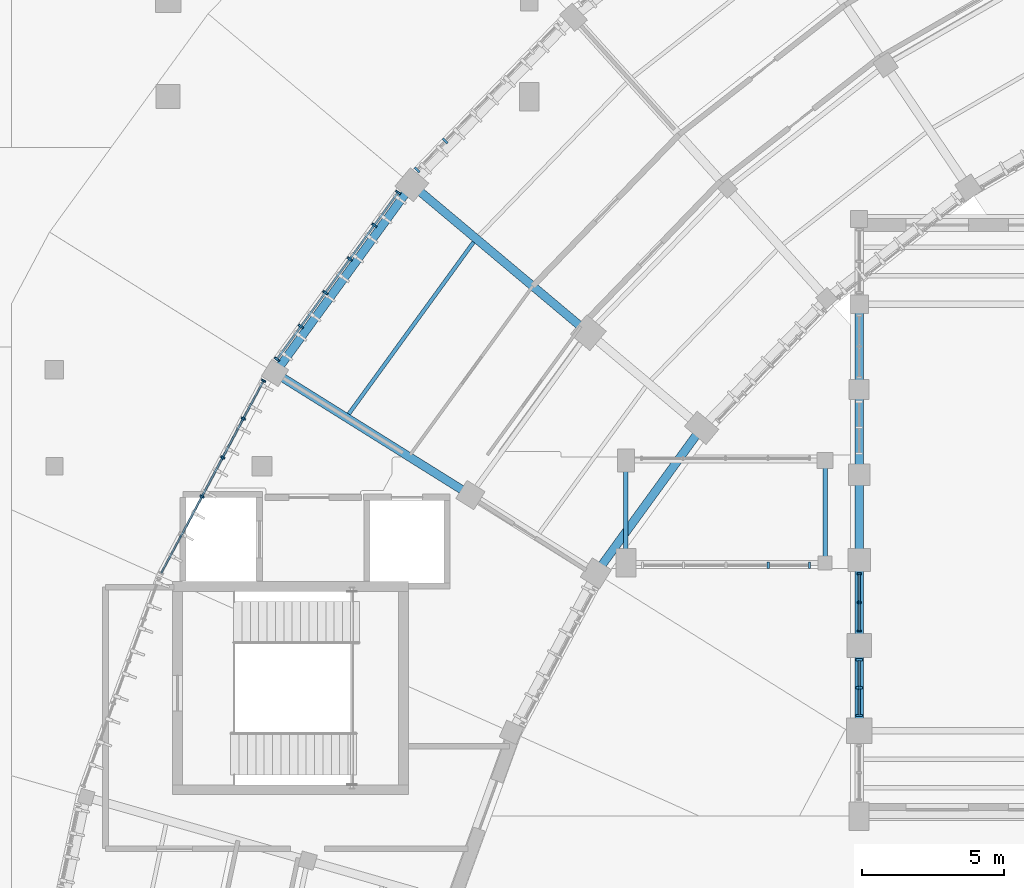
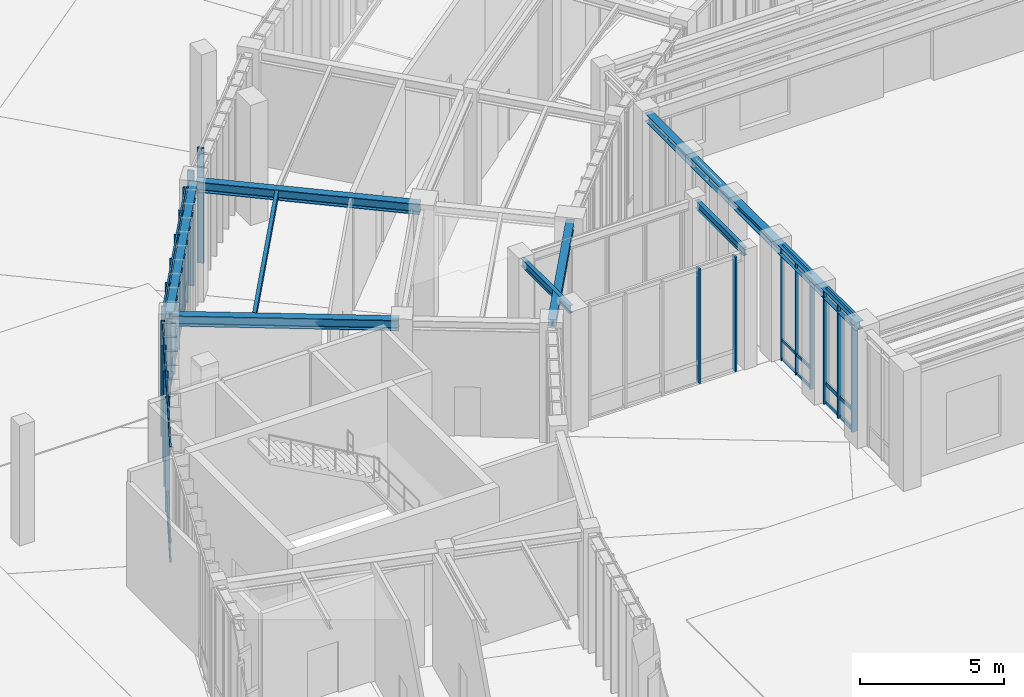
# One storey, part 8 of 68: 32 members, 8 beams, 6 elements without a shape of their own.
"""IFC4 building model written with IfcOpenShell, lengths in metres."""

from ifc_helpers import new_model, si_unit, direction, frame, origin, origin_2d, place, context, subcontext, project, spatial, rectangle, i_section, extrude, material, layer, layer_set, material_profile, profile_set, type_object, element, aggregate, save


model = new_model("IFC4")

# Units and contexts
model_context = context("Model", 3, precision=1e-05, world=origin(), true_north=direction((0.0, 1.0)))
body_context = subcontext(model_context, "Body", "Model", "MODEL_VIEW")
ifc_project = project(units=[si_unit("LENGTHUNIT", "METRE"), si_unit("AREAUNIT", "SQUARE_METRE"), si_unit("VOLUMEUNIT", "CUBIC_METRE"), si_unit("PLANEANGLEUNIT", "RADIAN"), si_unit("MASSUNIT", "GRAM", prefix="KILO"), si_unit("THERMODYNAMICTEMPERATUREUNIT", "KELVIN"), si_unit("POWERUNIT", "WATT")], contexts=[model_context])

# Site, building, storey
site_placement = place(None, origin())
site = spatial("IfcSite", under=ifc_project, at=site_placement, CompositionType="ELEMENT")
building_placement = place(site_placement, origin())
building = spatial("IfcBuilding", under=site, at=building_placement, Name="Solvatero Civic Police Headquarters", CompositionType="ELEMENT")
storey_placement = place(building_placement, origin())
storey = spatial("IfcBuildingStorey", under=building, at=storey_placement, Name="L00", CompositionType="ELEMENT", Elevation=0.0)

# Beams
ifc_material_1 = material(Name="Steel S355", Category="steel")
ifc_material_profile_1 = material_profile(ifc_material_1, i_section(OverallWidth=0.300048828125, OverallDepth=0.2900390625, WebThickness=0.008544921875, FlangeThickness=0.013916015625, FilletRadius=0.027099609375, at=origin_2d()), Name="HEA 300")
ifc_profile_set_1 = profile_set([ifc_material_profile_1], Name="Steel S355")
beam_type_1 = type_object("IfcBeamType", Name="BM-ST-HEA300", PredefinedType="SPANDREL", material=ifc_profile_set_1)
beam_1_placement = place(storey_placement, frame((59.201171875, 55.069580078125, 4.735107421875), z_axis=(-0.587785436261, -0.809016860714, 0.0), x_axis=(0.809016860714, -0.587785436261, 0.0)))
element("IfcBeam", 1, at=beam_1_placement, inside=storey, type_object=beam_type_1, Name="Perimeter / radial spandrel beam BM-R2-L00-ARC-CIN-B08", PredefinedType="SPANDREL", context=body_context, shape_type="SweptSolid", body=[
    extrude(i_section(OverallWidth=0.300048828125, OverallDepth=0.2900390625, WebThickness=0.008544921875, FlangeThickness=0.013916015625, FilletRadius=0.027099609375, at=origin_2d()), origin(), (0.0, 0.0, 1.0), 6.126953125),
])
ifc_material_profile_2 = material_profile(ifc_material_1, i_section(OverallWidth=0.300048828125, OverallDepth=0.31005859375, WebThickness=0.009033203125, FlangeThickness=0.015380859375, FilletRadius=0.027099609375, at=origin_2d()), Name="HEA 320")
ifc_profile_set_2 = profile_set([ifc_material_profile_2], Name="Steel S355")
beam_type_2 = type_object("IfcBeamType", Name="BM-ST-HEA320", PredefinedType="SPANDREL", material=ifc_profile_set_2)
beam_2_placement = place(storey_placement, frame((49.0126953125, 63.61865234375, 4.72509765625), z_axis=(-0.587775184232, -0.809024309153, 0.0), x_axis=(0.809024309153, -0.587775184232, 0.0)))
element("IfcBeam", 2, at=beam_2_placement, inside=storey, type_object=beam_type_2, Name="Perimeter / radial spandrel beam BM-R2-L00-ARC-COUT-B08", PredefinedType="SPANDREL", context=body_context, shape_type="SweptSolid", body=[
    extrude(i_section(OverallWidth=0.300048828125, OverallDepth=0.31005859375, WebThickness=0.009033203125, FlangeThickness=0.015380859375, FilletRadius=0.027099609375, at=origin_2d()), origin(), (0.0, 0.0, 1.0), 7.982421875),
])
ifc_material_profile_3 = material_profile(ifc_material_1, i_section(OverallWidth=0.300048828125, OverallDepth=0.35009765625, WebThickness=0.010009765625, FlangeThickness=0.017578125, FilletRadius=0.027099609375, at=origin_2d()), Name="HEA 360")
ifc_profile_set_3 = profile_set([ifc_material_profile_3], Name="Steel S355")
beam_type_3 = type_object("IfcBeamType", Name="BM-ST-HEA360", PredefinedType="SPANDREL", material=ifc_profile_set_3)
beam_3_placement = place(storey_placement, frame((64.800048828125, 44.659912109375, 4.705078125), z_axis=(0.0, 1.0, 0.0), x_axis=(-1.0, 0.0, 0.0)))
element("IfcBeam", 3, at=beam_3_placement, inside=storey, type_object=beam_type_3, Name="Perimeter / radial spandrel beam BM-R2-L00-V2-GY-1-2", PredefinedType="SPANDREL", context=body_context, shape_type="SweptSolid", body=[
    extrude(i_section(OverallWidth=0.300048828125, OverallDepth=0.35009765625, WebThickness=0.010009765625, FlangeThickness=0.017578125, FilletRadius=0.027099609375, at=origin_2d()), origin(), (0.0, 0.0, 1.0), 14.68017578125),
])
ifc_material_profile_4 = material_profile(ifc_material_1, i_section(OverallWidth=0.300048828125, OverallDepth=0.43994140625, WebThickness=0.011474609375, FlangeThickness=0.02099609375, FilletRadius=0.027099609375, at=origin_2d()), Name="HEA 450")
ifc_profile_set_4 = profile_set([ifc_material_profile_4], Name="Steel S355")
beam_type_4 = type_object("IfcBeamType", Name="BM-ST-HEA450", PredefinedType="BEAM", material=ifc_profile_set_4)
for number, where, z_axis, x_axis, name in (
    (4, (55.199951171875, 58.55712890625, 4.659912109375), (-0.766038381489, 0.642794833587, 0.0), (-0.642794833587, -0.766038381489, 0.0), "Primary girder BM-R2-L00-ARC-RAD2-S07"),
    (5, (51.04638671875, 52.84033203125, 4.659912109375), (-0.848043440319, 0.529926715057, 0.0), (-0.529926715057, -0.848043440319, 0.0), "Primary girder BM-R2-L00-ARC-RAD2-S08"),
):
    element("IfcBeam", number, at=place(storey_placement, frame(where, z_axis=z_axis, x_axis=x_axis)), inside=storey, type_object=beam_type_4, Name=name, PredefinedType="BEAM", context=body_context, shape_type="SweptSolid", body=[
        extrude(i_section(OverallWidth=0.300048828125, OverallDepth=0.43994140625, WebThickness=0.011474609375, FlangeThickness=0.02099609375, FilletRadius=0.027099609375, at=origin_2d()), origin(), (0.0, 0.0, 1.0), 7.900146484375),
    ])
ifc_material_profile_5 = material_profile(ifc_material_1, i_section(OverallWidth=0.135009765625, OverallDepth=0.27001953125, WebThickness=0.006591796875, FlangeThickness=0.01025390625, FilletRadius=0.014892578125, at=origin_2d()), Name="IPE 270")
ifc_profile_set_5 = profile_set([ifc_material_profile_5], Name="Steel S355")
beam_type_5 = type_object("IfcBeamType", Name="BM-ST-IPE270", PredefinedType="BEAM", material=ifc_profile_set_5)
beam_4_placement = place(storey_placement, frame((51.2431640625, 61.681884765625, 4.7451171875), z_axis=(-0.587800506185, -0.809005911554, 0.0), x_axis=(0.809005911554, -0.587800506185, 0.0)))
element("IfcBeam", 6, at=beam_4_placement, inside=storey, type_object=beam_type_5, Name="Composite floor beam BM-R2-L00-ARC-CS2-B08", PredefinedType="BEAM", context=body_context, shape_type="SweptSolid", body=[
    extrude(i_section(OverallWidth=0.135009765625, OverallDepth=0.27001953125, WebThickness=0.006591796875, FlangeThickness=0.01025390625, FilletRadius=0.014892578125, at=origin_2d()), origin(), (0.0, 0.0, 1.0), 7.470947265625),
])
ifc_material_profile_6 = material_profile(ifc_material_1, i_section(OverallWidth=0.159912109375, OverallDepth=0.330078125, WebThickness=0.007568359375, FlangeThickness=0.011474609375, FilletRadius=0.01806640625, at=origin_2d()), Name="IPE 330")
ifc_profile_set_6 = profile_set([ifc_material_profile_6], Name="Steel S355")
beam_type_6 = type_object("IfcBeamType", Name="BM-ST-IPE330", PredefinedType="BEAM", material=ifc_profile_set_6)
for number, where, z_axis, x_axis, name in (
    (7, (56.60009765625, 50.52001953125, 4.715087890625), (0.0, 1.0, 0.0), (-1.0, 0.0, 0.0), "Composite floor beam BM-R2-L00-V2LK-W"),
    (8, (63.60009765625, 50.52001953125, 4.715087890625), (0.0, 1.0, 0.0), (-1.0, 0.0, 0.0), "Composite floor beam BM-R2-L00-V2LK-E"),
):
    element("IfcBeam", number, at=place(storey_placement, frame(where, z_axis=z_axis, x_axis=x_axis)), inside=storey, type_object=beam_type_6, Name=name, PredefinedType="BEAM", context=body_context, shape_type="SweptSolid", body=[
        extrude(i_section(OverallWidth=0.159912109375, OverallDepth=0.330078125, WebThickness=0.007568359375, FlangeThickness=0.011474609375, FilletRadius=0.01806640625, at=origin_2d()), origin(), (0.0, 0.0, 1.0), 3.35986328125),
    ])

# Curtain wall, members
ifc_material_2 = material(Name="Anodized Bronze Aluminium", Category="aluminium")
ifc_layer_1 = layer(ifc_material_2, 0.179931640625)
ifc_layer_set_1 = layer_set([ifc_layer_1], Name="Anodized Bronze Aluminium")
curtain_wall_type_1 = type_object("IfcCurtainWallType", Name="CW-ARC-OUT", PredefinedType="USERDEFINED", material=ifc_layer_set_1)
curtain_wall_1_placement = place(storey_placement, origin())
curtain_wall_1 = element("IfcCurtainWall", 9, at=curtain_wall_1_placement, inside=storey, type_object=curtain_wall_type_1, Name="Curtain Wall CW-R2-L00-ARC-OUT-B07", ObjectType="UNITISED", PredefinedType="USERDEFINED")
ifc_material_profile_7 = material_profile(ifc_material_2, rectangle(XDim=0.080078125, YDim=0.239990234375, at=origin_2d()), Name="ALU MULLION 80x240")
ifc_profile_set_7 = profile_set([ifc_material_profile_7], Name="Anodized Bronze Aluminium")
member_type_1 = type_object("IfcMemberType", Name="CWM-140x60", PredefinedType="MULLION", material=ifc_profile_set_7)
member_1_placement = place(storey_placement, frame((50.240478515625, 65.240478515625, 0.0), z_axis=(0.0, 0.0, 1.0), x_axis=(-0.694658370459, -0.719339800339, 0.0)))
member_1 = element("IfcMember", 10, at=member_1_placement, type_object=member_type_1, Name="CW-R2-L00-ARC-OUT-B07 Mullion 5", PredefinedType="MULLION", context=body_context, shape_type="SweptSolid", body=[
    extrude(rectangle(XDim=0.080078125, YDim=0.239990234375, at=origin_2d()), origin(), (0.0, 0.0, 1.0), 4.8798828125),
])
member_2_placement = place(storey_placement, frame((49.25732421875, 64.22216796875, 0.0), z_axis=(0.0, 0.0, 1.0), x_axis=(-0.694658370459, -0.719339800339, 0.0)))
member_2 = element("IfcMember", 11, at=member_2_placement, type_object=member_type_1, Name="CW-R2-L00-ARC-OUT-B07 Mullion 6", PredefinedType="MULLION", context=body_context, shape_type="SweptSolid", body=[
    extrude(rectangle(XDim=0.080078125, YDim=0.239990234375, at=origin_2d()), origin(), (0.0, 0.0, 1.0), 4.8798828125),
])
aggregate(curtain_wall_1, [member_1, member_2])

ifc_layer_2 = layer(ifc_material_2, 0.179931640625)
ifc_layer_set_2 = layer_set([ifc_layer_2], Name="Anodized Bronze Aluminium")
curtain_wall_type_2 = type_object("IfcCurtainWallType", Name="CW-HAL-GLZ", PredefinedType="USERDEFINED", material=ifc_layer_set_2)
curtain_wall_2_placement = place(storey_placement, origin())
curtain_wall_2 = element("IfcCurtainWall", 12, at=curtain_wall_2_placement, inside=storey, type_object=curtain_wall_type_2, Name="Curtain Wall CW-R2-L00-V2-W-B3", ObjectType="UNITISED", PredefinedType="USERDEFINED")
ifc_material_profile_8 = material_profile(ifc_material_2, rectangle(XDim=0.06005859375, YDim=0.139892578125, at=origin_2d()), Name="ALU MULLION 60x140")
ifc_profile_set_8 = profile_set([ifc_material_profile_8], Name="Anodized Bronze Aluminium")
member_type_2 = type_object("IfcMemberType", Name="CWM-160x65", PredefinedType="MULLION", material=ifc_profile_set_8)
member_3_placement = place(storey_placement, frame((64.800048828125, 48.0048828125, 0.0), z_axis=(0.0, 0.0, 1.0), x_axis=(0.0, 1.0, 0.0)))
member_3 = element("IfcMember", 13, at=member_3_placement, type_object=member_type_2, Name="CW-R2-L00-V2-W-B3 Mullion 1", PredefinedType="MULLION", context=body_context, shape_type="SweptSolid", body=[
    extrude(rectangle(XDim=0.06005859375, YDim=0.139892578125, at=origin_2d()), origin(), (0.0, 0.0, 1.0), 4.860107421875),
])
member_4_placement = place(storey_placement, frame((64.800048828125, 49.012451171875, 0.0), z_axis=(0.0, 0.0, 1.0), x_axis=(0.0, 1.0, 0.0)))
member_4 = element("IfcMember", 14, at=member_4_placement, type_object=member_type_2, Name="CW-R2-L00-V2-W-B3 Mullion 2", PredefinedType="MULLION", context=body_context, shape_type="SweptSolid", body=[
    extrude(rectangle(XDim=0.06005859375, YDim=0.139892578125, at=origin_2d()), origin(), (0.0, 0.0, 1.0), 4.860107421875),
])
member_5_placement = place(storey_placement, frame((64.800048828125, 50.02001953125, 0.0), z_axis=(0.0, 0.0, 1.0), x_axis=(0.0, 1.0, 0.0)))
member_5 = element("IfcMember", 15, at=member_5_placement, type_object=member_type_2, Name="CW-R2-L00-V2-W-B3 Mullion 3", PredefinedType="MULLION", context=body_context, shape_type="SweptSolid", body=[
    extrude(rectangle(XDim=0.06005859375, YDim=0.139892578125, at=origin_2d()), origin(), (0.0, 0.0, 1.0), 4.860107421875),
])

curtain_wall_3_placement = place(storey_placement, origin())
curtain_wall_3 = element("IfcCurtainWall", 16, at=curtain_wall_3_placement, inside=storey, type_object=curtain_wall_type_1, Name="Curtain Wall CW-R2-L00-ARC-OUT-B09", ObjectType="UNITISED", PredefinedType="USERDEFINED")
ifc_material_profile_9 = material_profile(ifc_material_2, rectangle(XDim=0.06005859375, YDim=0.159912109375, at=origin_2d()), Name="ALU MULLION 60x160")
ifc_profile_set_9 = profile_set([ifc_material_profile_9], Name="Anodized Bronze Aluminium")
member_type_3 = type_object("IfcMemberType", Name="CWM-180x70", PredefinedType="MULLION", material=ifc_profile_set_9)
member_6_placement = place(storey_placement, frame((43.857421875, 56.807861328125, 0.0), z_axis=(0.0, 0.0, 1.0), x_axis=(-0.469471562786, -0.882947592859, 0.0)))
member_6 = element("IfcMember", 17, at=member_6_placement, type_object=member_type_3, Name="CW-R2-L00-ARC-OUT-B09 Mullion 1", PredefinedType="MULLION", context=body_context, shape_type="SweptSolid", body=[
    extrude(rectangle(XDim=0.06005859375, YDim=0.159912109375, at=origin_2d()), origin(), (0.0, 0.0, 1.0), 4.8798828125),
])
member_7_placement = place(storey_placement, frame((43.148681640625, 55.474853515625, 0.0), z_axis=(0.0, 0.0, 1.0), x_axis=(-0.469471562786, -0.882947592859, 0.0)))
member_7 = element("IfcMember", 18, at=member_7_placement, type_object=member_type_3, Name="CW-R2-L00-ARC-OUT-B09 Mullion 2", PredefinedType="MULLION", context=body_context, shape_type="SweptSolid", body=[
    extrude(rectangle(XDim=0.06005859375, YDim=0.159912109375, at=origin_2d()), origin(), (0.0, 0.0, 1.0), 4.8798828125),
])
member_8_placement = place(storey_placement, frame((42.421142578125, 54.106689453125, 0.0), z_axis=(0.0, 0.0, 1.0), x_axis=(-0.469471562786, -0.882947592859, 0.0)))
member_8 = element("IfcMember", 19, at=member_8_placement, type_object=member_type_3, Name="CW-R2-L00-ARC-OUT-B09 Mullion 3", PredefinedType="MULLION", context=body_context, shape_type="SweptSolid", body=[
    extrude(rectangle(XDim=0.06005859375, YDim=0.159912109375, at=origin_2d()), origin(), (0.0, 0.0, 1.0), 4.8798828125),
])
member_9_placement = place(storey_placement, frame((41.693603515625, 52.73828125, 0.0), z_axis=(0.0, 0.0, 1.0), x_axis=(-0.469471562786, -0.882947592859, 0.0)))
member_9 = element("IfcMember", 20, at=member_9_placement, type_object=member_type_3, Name="CW-R2-L00-ARC-OUT-B09 Mullion 4", PredefinedType="MULLION", context=body_context, shape_type="SweptSolid", body=[
    extrude(rectangle(XDim=0.06005859375, YDim=0.159912109375, at=origin_2d()), origin(), (0.0, 0.0, 1.0), 4.8798828125),
])

curtain_wall_4_placement = place(storey_placement, origin())
curtain_wall_4 = element("IfcCurtainWall", 21, at=curtain_wall_4_placement, inside=storey, type_object=curtain_wall_type_1, Name="Curtain Wall CW-R2-L00-ARC-OUT-B08", ObjectType="UNITISED", PredefinedType="USERDEFINED")
ifc_material_profile_10 = material_profile(ifc_material_2, rectangle(XDim=0.070068359375, YDim=0.199951171875, at=origin_2d()), Name="ALU MULLION 70x200")
ifc_profile_set_10 = profile_set([ifc_material_profile_10], Name="Anodized Bronze Aluminium")
member_type_4 = type_object("IfcMemberType", Name="CWM-220x80", PredefinedType="MULLION", material=ifc_profile_set_10)
member_10_placement = place(storey_placement, frame((48.589111328125, 63.42578125, 0.0), z_axis=(0.0, 0.0, 1.0), x_axis=(-0.587785252292, -0.809016994375, 0.0)))
member_10 = element("IfcMember", 22, at=member_10_placement, type_object=member_type_4, Name="CW-R2-L00-ARC-OUT-B08 Mullion 1", PredefinedType="MULLION", context=body_context, shape_type="SweptSolid", body=[
    extrude(rectangle(XDim=0.070068359375, YDim=0.199951171875, at=origin_2d()), origin(), (0.0, 0.0, 1.0), 4.8798828125),
])
member_11_placement = place(storey_placement, frame((47.751220703125, 62.272705078125, 0.0), z_axis=(0.0, 0.0, 1.0), x_axis=(-0.587785252292, -0.809016994375, 0.0)))
member_11 = element("IfcMember", 23, at=member_11_placement, type_object=member_type_4, Name="CW-R2-L00-ARC-OUT-B08 Mullion 2", PredefinedType="MULLION", context=body_context, shape_type="SweptSolid", body=[
    extrude(rectangle(XDim=0.070068359375, YDim=0.199951171875, at=origin_2d()), origin(), (0.0, 0.0, 1.0), 4.8798828125),
])
member_12_placement = place(storey_placement, frame((46.889892578125, 61.0869140625, 0.0), z_axis=(0.0, 0.0, 1.0), x_axis=(-0.587785252292, -0.809016994375, 0.0)))
member_12 = element("IfcMember", 24, at=member_12_placement, type_object=member_type_4, Name="CW-R2-L00-ARC-OUT-B08 Mullion 3", PredefinedType="MULLION", context=body_context, shape_type="SweptSolid", body=[
    extrude(rectangle(XDim=0.070068359375, YDim=0.199951171875, at=origin_2d()), origin(), (0.0, 0.0, 1.0), 4.8798828125),
])
member_13_placement = place(storey_placement, frame((46.0283203125, 59.9013671875, 0.0), z_axis=(0.0, 0.0, 1.0), x_axis=(-0.587785252292, -0.809016994375, 0.0)))
member_13 = element("IfcMember", 25, at=member_13_placement, type_object=member_type_4, Name="CW-R2-L00-ARC-OUT-B08 Mullion 4", PredefinedType="MULLION", context=body_context, shape_type="SweptSolid", body=[
    extrude(rectangle(XDim=0.070068359375, YDim=0.199951171875, at=origin_2d()), origin(), (0.0, 0.0, 1.0), 4.8798828125),
])
member_14_placement = place(storey_placement, frame((45.1669921875, 58.7158203125, 0.0), z_axis=(0.0, 0.0, 1.0), x_axis=(-0.587785252292, -0.809016994375, 0.0)))
member_14 = element("IfcMember", 26, at=member_14_placement, type_object=member_type_4, Name="CW-R2-L00-ARC-OUT-B08 Mullion 5", PredefinedType="MULLION", context=body_context, shape_type="SweptSolid", body=[
    extrude(rectangle(XDim=0.070068359375, YDim=0.199951171875, at=origin_2d()), origin(), (0.0, 0.0, 1.0), 4.8798828125),
])
member_15_placement = place(storey_placement, frame((44.3291015625, 57.5625, 0.0), z_axis=(0.0, 0.0, 1.0), x_axis=(-0.587785252292, -0.809016994375, 0.0)))
member_15 = element("IfcMember", 27, at=member_15_placement, type_object=member_type_4, Name="CW-R2-L00-ARC-OUT-B08 Mullion 6", PredefinedType="MULLION", context=body_context, shape_type="SweptSolid", body=[
    extrude(rectangle(XDim=0.070068359375, YDim=0.199951171875, at=origin_2d()), origin(), (0.0, 0.0, 1.0), 4.8798828125),
])

curtain_wall_5_placement = place(storey_placement, origin())
curtain_wall_5 = element("IfcCurtainWall", 28, at=curtain_wall_5_placement, inside=storey, type_object=curtain_wall_type_2, Name="Curtain Wall CW-R2-L00-V2-W-B2", ObjectType="UNITISED", PredefinedType="USERDEFINED")
ifc_material_profile_11 = material_profile(ifc_material_2, rectangle(XDim=0.074951171875, YDim=0.219970703125, at=origin_2d()), Name="ALU MULLION 75x220")
ifc_profile_set_11 = profile_set([ifc_material_profile_11], Name="Anodized Bronze Aluminium")
member_type_5 = type_object("IfcMemberType", Name="CWM-250x85", PredefinedType="MULLION", material=ifc_profile_set_11)
member_16_placement = place(storey_placement, frame((64.800048828125, 45.030029296875, 0.0), z_axis=(0.0, 0.0, 1.0), x_axis=(0.0, 1.0, 0.0)))
member_16 = element("IfcMember", 29, at=member_16_placement, type_object=member_type_5, Name="CW-R2-L00-V2-W-B2 Mullion 1", PredefinedType="MULLION", context=body_context, shape_type="SweptSolid", body=[
    extrude(rectangle(XDim=0.074951171875, YDim=0.219970703125, at=origin_2d()), origin(), (0.0, 0.0, 1.0), 4.860107421875),
])
member_17_placement = place(storey_placement, frame((64.800048828125, 46.012451171875, 0.0), z_axis=(0.0, 0.0, 1.0), x_axis=(0.0, 1.0, 0.0)))
member_17 = element("IfcMember", 30, at=member_17_placement, type_object=member_type_5, Name="CW-R2-L00-V2-W-B2 Mullion 2", PredefinedType="MULLION", context=body_context, shape_type="SweptSolid", body=[
    extrude(rectangle(XDim=0.074951171875, YDim=0.219970703125, at=origin_2d()), origin(), (0.0, 0.0, 1.0), 4.860107421875),
])
member_18_placement = place(storey_placement, frame((64.800048828125, 46.9951171875, 0.0), z_axis=(0.0, 0.0, 1.0), x_axis=(0.0, 1.0, 0.0)))
member_18 = element("IfcMember", 31, at=member_18_placement, type_object=member_type_5, Name="CW-R2-L00-V2-W-B2 Mullion 3", PredefinedType="MULLION", context=body_context, shape_type="SweptSolid", body=[
    extrude(rectangle(XDim=0.074951171875, YDim=0.219970703125, at=origin_2d()), origin(), (0.0, 0.0, 1.0), 4.860107421875),
])

ifc_layer_3 = layer(ifc_material_2, 0.179931640625)
ifc_layer_set_3 = layer_set([ifc_layer_3], Name="Anodized Bronze Aluminium")
curtain_wall_type_3 = type_object("IfcCurtainWallType", Name="CW-SB-GLZ", PredefinedType="USERDEFINED", material=ifc_layer_set_3)
curtain_wall_6_placement = place(storey_placement, origin())
curtain_wall_6 = element("IfcCurtainWall", 32, at=curtain_wall_6_placement, inside=storey, type_object=curtain_wall_type_3, Name="Curtain Wall CW-R2-L00-V2LK-S", ObjectType="UNITISED", PredefinedType="USERDEFINED")
member_19_placement = place(storey_placement, frame((61.6025390625, 50.320068359375, 0.0), z_axis=(0.0, 0.0, 1.0), x_axis=(1.0, 0.0, 0.0)))
member_19 = element("IfcMember", 33, at=member_19_placement, type_object=member_type_5, Name="CW-R2-L00-V2LK-S Mullion 4", PredefinedType="MULLION", context=body_context, shape_type="SweptSolid", body=[
    extrude(rectangle(XDim=0.074951171875, YDim=0.219970703125, at=origin_2d()), origin(), (0.0, 0.0, 1.0), 4.860107421875),
])
member_20_placement = place(storey_placement, frame((63.050048828125, 50.320068359375, 0.0), z_axis=(0.0, 0.0, 1.0), x_axis=(1.0, 0.0, 0.0)))
member_20 = element("IfcMember", 34, at=member_20_placement, type_object=member_type_5, Name="CW-R2-L00-V2LK-S Mullion 5", PredefinedType="MULLION", context=body_context, shape_type="SweptSolid", body=[
    extrude(rectangle(XDim=0.074951171875, YDim=0.219970703125, at=origin_2d()), origin(), (0.0, 0.0, 1.0), 4.860107421875),
])
aggregate(curtain_wall_6, [member_19, member_20])

# Member
ifc_material_profile_12 = material_profile(ifc_material_2, rectangle(XDim=0.070068359375, YDim=0.159912109375, at=origin_2d()), Name="ALU TRANSOM 70x160")
ifc_profile_set_12 = profile_set([ifc_material_profile_12], Name="Anodized Bronze Aluminium")
member_type_6 = type_object("IfcMemberType", Name="CWT-120x55", PredefinedType="USERDEFINED", material=ifc_profile_set_12)
member_21_placement = place(storey_placement, frame((64.800048828125, 45.0400390625, 0.0400390625), z_axis=(0.0, 1.0, 0.0), x_axis=(-1.0, 0.0, 0.0)))
member_21 = element("IfcMember", 35, at=member_21_placement, type_object=member_type_6, Name="CW-R2-L00-V2-W-B2 Transom 1", ObjectType="TRANSOM", PredefinedType="USERDEFINED", context=body_context, shape_type="SweptSolid", body=[
    extrude(rectangle(XDim=0.070068359375, YDim=0.159912109375, at=origin_2d()), origin(), (0.0, 0.0, 1.0), 1.945068359375),
])

member_22_placement = place(storey_placement, frame((64.800048828125, 45.0400390625, 0.85009765625), z_axis=(0.0, 1.0, 0.0), x_axis=(-1.0, 0.0, 0.0)))
member_22 = element("IfcMember", 36, at=member_22_placement, type_object=member_type_6, Name="CW-R2-L00-V2-W-B2 Transom 2", ObjectType="TRANSOM", PredefinedType="USERDEFINED", context=body_context, shape_type="SweptSolid", body=[
    extrude(rectangle(XDim=0.070068359375, YDim=0.159912109375, at=origin_2d()), origin(), (0.0, 0.0, 1.0), 1.945068359375),
])

member_23_placement = place(storey_placement, frame((64.800048828125, 45.0400390625, 4.820068359375), z_axis=(0.0, 1.0, 0.0), x_axis=(-1.0, 0.0, 0.0)))
member_23 = element("IfcMember", 37, at=member_23_placement, type_object=member_type_6, Name="CW-R2-L00-V2-W-B2 Transom 3", ObjectType="TRANSOM", PredefinedType="USERDEFINED", context=body_context, shape_type="SweptSolid", body=[
    extrude(rectangle(XDim=0.070068359375, YDim=0.159912109375, at=origin_2d()), origin(), (0.0, 0.0, 1.0), 1.945068359375),
])

aggregate(curtain_wall_5, [member_16, member_17, member_18, member_21, member_22, member_23])

ifc_material_profile_13 = material_profile(ifc_material_2, rectangle(XDim=0.06005859375, YDim=0.110107421875, at=origin_2d()), Name="ALU TRANSOM 60x110")
ifc_profile_set_13 = profile_set([ifc_material_profile_13], Name="Anodized Bronze Aluminium")
member_type_7 = type_object("IfcMemberType", Name="CWT-140x60", PredefinedType="USERDEFINED", material=ifc_profile_set_13)
member_24_placement = place(storey_placement, frame((43.852783203125, 56.799072265625, 0.0400390625), z_axis=(-0.469456268549, -0.882955724779, 0.0), x_axis=(0.882955724779, -0.469456268549, 0.0)))
member_24 = element("IfcMember", 38, at=member_24_placement, type_object=member_type_7, Name="CW-R2-L00-ARC-OUT-B09 Transom 1", ObjectType="TRANSOM", PredefinedType="USERDEFINED", context=body_context, shape_type="SweptSolid", body=[
    extrude(rectangle(XDim=0.06005859375, YDim=0.110107421875, at=origin_2d()), origin(), (0.0, 0.0, 1.0), 7.6484375),
])

member_25_placement = place(storey_placement, frame((43.852783203125, 56.799072265625, 0.85009765625), z_axis=(-0.469456268549, -0.882955724779, 0.0), x_axis=(0.882955724779, -0.469456268549, 0.0)))
member_25 = element("IfcMember", 39, at=member_25_placement, type_object=member_type_7, Name="CW-R2-L00-ARC-OUT-B09 Transom 2", ObjectType="TRANSOM", PredefinedType="USERDEFINED", context=body_context, shape_type="SweptSolid", body=[
    extrude(rectangle(XDim=0.06005859375, YDim=0.110107421875, at=origin_2d()), origin(), (0.0, 0.0, 1.0), 7.6484375),
])

member_26_placement = place(storey_placement, frame((43.852783203125, 56.799072265625, 4.840087890625), z_axis=(-0.469456268549, -0.882955724779, 0.0), x_axis=(0.882955724779, -0.469456268549, 0.0)))
member_26 = element("IfcMember", 40, at=member_26_placement, type_object=member_type_7, Name="CW-R2-L00-ARC-OUT-B09 Transom 3", ObjectType="TRANSOM", PredefinedType="USERDEFINED", context=body_context, shape_type="SweptSolid", body=[
    extrude(rectangle(XDim=0.06005859375, YDim=0.110107421875, at=origin_2d()), origin(), (0.0, 0.0, 1.0), 7.6484375),
])

aggregate(curtain_wall_3, [member_6, member_7, member_8, member_9, member_24, member_25, member_26])

ifc_material_profile_14 = material_profile(ifc_material_2, rectangle(XDim=0.06005859375, YDim=0.125, at=origin_2d()), Name="ALU TRANSOM 60x125")
ifc_profile_set_14 = profile_set([ifc_material_profile_14], Name="Anodized Bronze Aluminium")
member_type_8 = type_object("IfcMemberType", Name="CWT-160x65", PredefinedType="USERDEFINED", material=ifc_profile_set_14)
member_27_placement = place(storey_placement, frame((64.800048828125, 48.014892578125, 0.0400390625), z_axis=(0.0, 1.0, 0.0), x_axis=(-1.0, 0.0, 0.0)))
member_27 = element("IfcMember", 41, at=member_27_placement, type_object=member_type_8, Name="CW-R2-L00-V2-W-B3 Transom 1", ObjectType="TRANSOM", PredefinedType="USERDEFINED", context=body_context, shape_type="SweptSolid", body=[
    extrude(rectangle(XDim=0.06005859375, YDim=0.125, at=origin_2d()), origin(), (0.0, 0.0, 1.0), 1.9951171875),
])

member_28_placement = place(storey_placement, frame((64.800048828125, 48.014892578125, 0.85009765625), z_axis=(0.0, 1.0, 0.0), x_axis=(-1.0, 0.0, 0.0)))
member_28 = element("IfcMember", 42, at=member_28_placement, type_object=member_type_8, Name="CW-R2-L00-V2-W-B3 Transom 2", ObjectType="TRANSOM", PredefinedType="USERDEFINED", context=body_context, shape_type="SweptSolid", body=[
    extrude(rectangle(XDim=0.06005859375, YDim=0.125, at=origin_2d()), origin(), (0.0, 0.0, 1.0), 1.9951171875),
])

member_29_placement = place(storey_placement, frame((64.800048828125, 48.014892578125, 4.820068359375), z_axis=(0.0, 1.0, 0.0), x_axis=(-1.0, 0.0, 0.0)))
member_29 = element("IfcMember", 43, at=member_29_placement, type_object=member_type_8, Name="CW-R2-L00-V2-W-B3 Transom 3", ObjectType="TRANSOM", PredefinedType="USERDEFINED", context=body_context, shape_type="SweptSolid", body=[
    extrude(rectangle(XDim=0.06005859375, YDim=0.125, at=origin_2d()), origin(), (0.0, 0.0, 1.0), 1.9951171875),
])

aggregate(curtain_wall_2, [member_3, member_4, member_5, member_27, member_28, member_29])

ifc_material_profile_15 = material_profile(ifc_material_2, rectangle(XDim=0.06494140625, YDim=0.139892578125, at=origin_2d()), Name="ALU TRANSOM 65x140")
ifc_profile_set_15 = profile_set([ifc_material_profile_15], Name="Anodized Bronze Aluminium")
member_type_9 = type_object("IfcMemberType", Name="CWT-180x70", PredefinedType="USERDEFINED", material=ifc_profile_set_15)
member_30_placement = place(storey_placement, frame((48.583251953125, 63.417724609375, 0.0400390625), z_axis=(-0.587792027602, -0.809012071781, 0.0), x_axis=(0.809012071781, -0.587792027602, 0.0)))
member_30 = element("IfcMember", 44, at=member_30_placement, type_object=member_type_9, Name="CW-R2-L00-ARC-OUT-B08 Transom 1", ObjectType="TRANSOM", PredefinedType="USERDEFINED", context=body_context, shape_type="SweptSolid", body=[
    extrude(rectangle(XDim=0.06494140625, YDim=0.139892578125, at=origin_2d()), origin(), (0.0, 0.0, 1.0), 7.2275390625),
])

member_31_placement = place(storey_placement, frame((48.583251953125, 63.417724609375, 0.85009765625), z_axis=(-0.587792027602, -0.809012071781, 0.0), x_axis=(0.809012071781, -0.587792027602, 0.0)))
member_31 = element("IfcMember", 45, at=member_31_placement, type_object=member_type_9, Name="CW-R2-L00-ARC-OUT-B08 Transom 2", ObjectType="TRANSOM", PredefinedType="USERDEFINED", context=body_context, shape_type="SweptSolid", body=[
    extrude(rectangle(XDim=0.06494140625, YDim=0.139892578125, at=origin_2d()), origin(), (0.0, 0.0, 1.0), 7.2275390625),
])

member_32_placement = place(storey_placement, frame((48.583251953125, 63.417724609375, 4.840087890625), z_axis=(-0.587792027602, -0.809012071781, 0.0), x_axis=(0.809012071781, -0.587792027602, 0.0)))
member_32 = element("IfcMember", 46, at=member_32_placement, type_object=member_type_9, Name="CW-R2-L00-ARC-OUT-B08 Transom 3", ObjectType="TRANSOM", PredefinedType="USERDEFINED", context=body_context, shape_type="SweptSolid", body=[
    extrude(rectangle(XDim=0.06494140625, YDim=0.139892578125, at=origin_2d()), origin(), (0.0, 0.0, 1.0), 7.2275390625),
])

aggregate(curtain_wall_4, [member_10, member_11, member_12, member_13, member_14, member_15, member_30, member_31, member_32])

save(model, "model.ifc")
